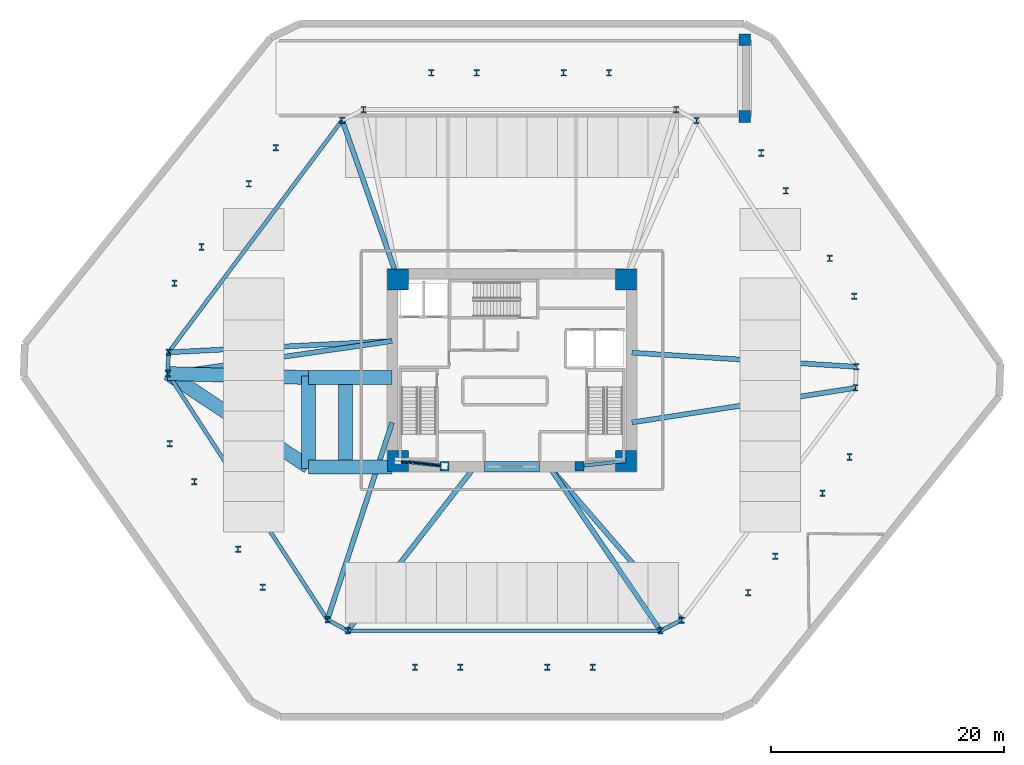
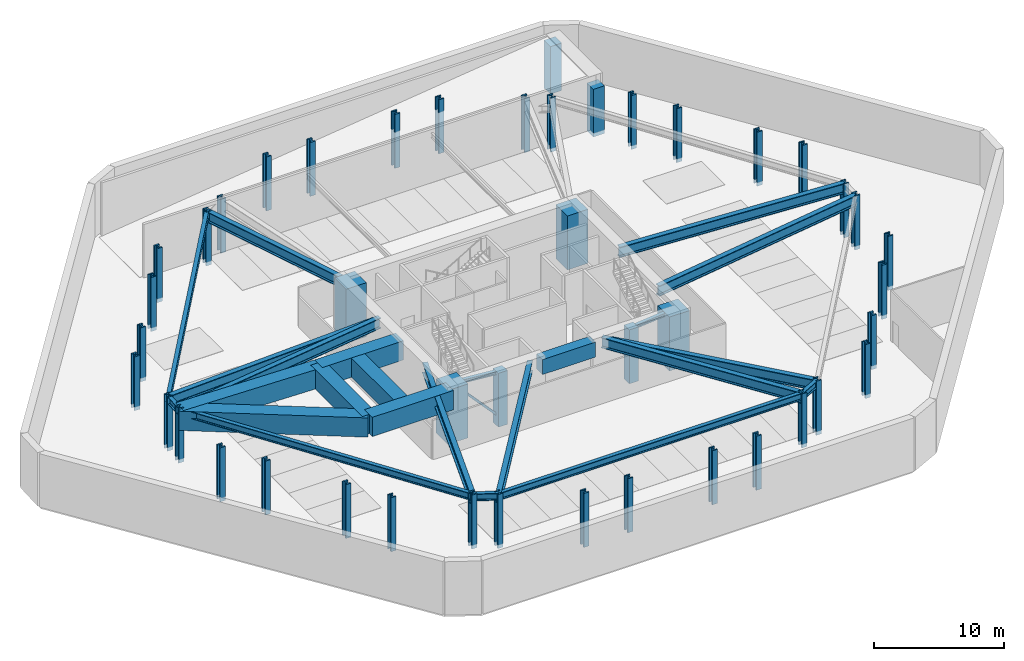
# One storey, part 1 of 8: 44 columns, 24 beams, 1 member.
"""IFC4 building model written with IfcOpenShell, lengths in metres."""

from ifc_helpers import new_model, si_unit, direction, frame, origin, origin_2d, place, context, subcontext, project, spatial, rectangle, hollow_rectangle, i_section, extrude, source, transform, mapped, material, material_profile, profile_set, type_object, type_shapes, element, save


model = new_model("IFC4")

# Units and contexts
model_context = context("Model", 3, precision=1e-05, world=origin(), true_north=direction((0.0, 1.0)))
body_context = subcontext(model_context, "Body", "Model", "MODEL_VIEW")
ifc_project = project(units=[si_unit("LENGTHUNIT", "METRE"), si_unit("AREAUNIT", "SQUARE_METRE"), si_unit("VOLUMEUNIT", "CUBIC_METRE"), si_unit("PLANEANGLEUNIT", "RADIAN"), si_unit("MASSUNIT", "GRAM", prefix="KILO")], contexts=[model_context])

# Site, building, storey
site_placement = place(None, origin())
site = spatial("IfcSite", under=ifc_project, at=site_placement, CompositionType="ELEMENT")
building_placement = place(site_placement, origin())
building = spatial("IfcBuilding", under=site, at=building_placement, Name="Durnholm Broadcast Tower", CompositionType="ELEMENT")
storey_placement = place(building_placement, frame((0.0, 0.0, -5.0)))
storey = spatial("IfcBuildingStorey", under=building, at=storey_placement, Name="B01", CompositionType="ELEMENT", Elevation=-5.0)

# Columns
ifc_material_1 = material(Name="Concrete C70/85", Category="concrete")
ifc_material_profile_1 = material_profile(ifc_material_1, rectangle(XDim=1.0, YDim=1.0, at=origin_2d()), Name="RC1000X1000")
ifc_profile_set_1 = profile_set([ifc_material_profile_1], Name="Concrete C70/85")
column_type_1 = type_object("IfcColumnType", Name="COL-CC-1000", PredefinedType="COLUMN", material=ifc_profile_set_1)
shared_shape_1 = source(origin(), body_context, "Body", "SweptSolid", [
    extrude(rectangle(XDim=1.0, YDim=1.0, at=origin_2d()), origin(), (0.0, 0.0, 1.0), 4.4501953125),
])
type_shapes(column_type_1, [shared_shape_1])
for number, where, z_axis, x_axis, name in (
    (1, (20.0, 21.800048828125, -0.35009765625), (0.0, 0.0, 1.0), (1.0, 0.0, 0.0), "B01 vehicle ramp header support column 1"),
    (2, (20.0, 28.39990234375, -0.35009765625), (0.0, 0.0, 1.0), (1.0, 0.0, 0.0), "B01 vehicle ramp header support column 2"),
):
    element("IfcColumn", number, at=place(storey_placement, frame(where, z_axis=z_axis, x_axis=x_axis)), inside=storey, type_object=column_type_1, Name=name, PredefinedType="COLUMN", context=body_context, shape_type="MappedRepresentation", body=[
        mapped(shared_shape_1, transform((0.0, 0.0, 0.0), x_axis=(1.0, 0.0, 0.0), y_axis=(0.0, 1.0, 0.0), z_axis=(0.0, 0.0, 1.0), scale=1.0)),
    ])
ifc_material_profile_2 = material_profile(ifc_material_1, rectangle(XDim=1.800048828125, YDim=1.800048828125, at=origin_2d()), Name="RC1800X1800")
ifc_profile_set_2 = profile_set([ifc_material_profile_2], Name="Concrete C70/85")
column_type_2 = type_object("IfcColumnType", Name="COL-CC-1800", PredefinedType="COLUMN", material=ifc_profile_set_2)
shared_shape_2 = source(origin(), body_context, "Body", "SweptSolid", [
    extrude(rectangle(XDim=1.800048828125, YDim=1.800048828125, at=origin_2d()), origin(), (0.0, 0.0, 1.0), 5.050048828125),
])
type_shapes(column_type_2, [shared_shape_2])
for number, where, z_axis, x_axis, name in (
    (3, (-9.800048828125, -7.800048828125, -0.35009765625), (0.0, 0.0, 1.0), (1.0, 0.0, 0.0), "B01 core corner column 1"),
    (4, (9.800048828125, -7.800048828125, -0.35009765625), (0.0, 0.0, 1.0), (1.0, 0.0, 0.0), "B01 core corner column 2"),
    (5, (9.800048828125, 7.800048828125, -0.35009765625), (0.0, 0.0, 1.0), (1.0, 0.0, 0.0), "B01 core corner column 3"),
    (6, (-9.800048828125, 7.800048828125, -0.35009765625), (0.0, 0.0, 1.0), (1.0, 0.0, 0.0), "B01 core corner column 4"),
):
    element("IfcColumn", number, at=place(storey_placement, frame(where, z_axis=z_axis, x_axis=x_axis)), inside=storey, type_object=column_type_2, Name=name, PredefinedType="COLUMN", context=body_context, shape_type="MappedRepresentation", body=[
        mapped(shared_shape_2, transform((0.0, 0.0, 0.0), x_axis=(1.0, 0.0, 0.0), y_axis=(0.0, 1.0, 0.0), z_axis=(0.0, 0.0, 1.0), scale=1.0)),
    ])
ifc_material_profile_3 = material_profile(ifc_material_1, rectangle(XDim=0.800048828125, YDim=0.800048828125, at=origin_2d()), Name="RC800X800")
ifc_profile_set_3 = profile_set([ifc_material_profile_3], Name="Concrete C70/85")
column_type_3 = type_object("IfcColumnType", Name="COL-CP-800", PredefinedType="PILASTER", material=ifc_profile_set_3)
shared_shape_3 = source(origin(), body_context, "Body", "SweptSolid", [
    extrude(rectangle(XDim=0.800048828125, YDim=0.800048828125, at=origin_2d()), origin(), (0.0, 0.0, 1.0), 5.050048828125),
])
type_shapes(column_type_3, [shared_shape_3])
for number, where, z_axis, x_axis, name in (
    (7, (-5.800048828125, -8.25, -0.35009765625), (0.0, 0.0, 1.0), (1.0, 0.0, 0.0), "B01 core hall structural pilaster 1"),
    (8, (5.800048828125, -8.25, -0.35009765625), (0.0, 0.0, 1.0), (1.0, 0.0, 0.0), "B01 core hall structural pilaster 2"),
):
    element("IfcColumn", number, at=place(storey_placement, frame(where, z_axis=z_axis, x_axis=x_axis)), inside=storey, type_object=column_type_3, Name=name, PredefinedType="PILASTER", context=body_context, shape_type="MappedRepresentation", body=[
        mapped(shared_shape_3, transform((0.0, 0.0, 0.0), x_axis=(1.0, 0.0, 0.0), y_axis=(0.0, 1.0, 0.0), z_axis=(0.0, 0.0, 1.0), scale=1.0)),
    ])
ifc_material_2 = material(Name="Steel ASTM A913 Grade 65", Category="steel")
ifc_material_profile_4 = material_profile(ifc_material_2, i_section(OverallWidth=0.454345703125, OverallDepth=0.569091796875, WebThickness=0.077880859375, FlangeThickness=0.124755859375, FilletRadius=0.030517578125, at=origin_2d()), Name="W14X730")
ifc_profile_set_4 = profile_set([ifc_material_profile_4], Name="Steel ASTM A913 Grade 65")
column_type_4 = type_object("IfcColumnType", Name="STL-SC-W14X730", PredefinedType="COLUMN", material=ifc_profile_set_4)
shared_shape_4 = source(origin(), body_context, "Body", "SweptSolid", [
    extrude(i_section(OverallWidth=0.454345703125, OverallDepth=0.569091796875, WebThickness=0.077880859375, FlangeThickness=0.124755859375, FilletRadius=0.030517578125, at=origin_2d()), origin(), (0.0, 0.0, 1.0), 5.050048828125),
])
type_shapes(column_type_4, [shared_shape_4])
for number, where, z_axis, x_axis, name in (
    (9, (-15.866455078125, -21.45068359375, -0.35009765625), (0.0, 0.0, 1.0), (1.0, 0.0, 0.0), "B01 perimeter hexagonal tube column 01"),
    (10, (-29.590576171875, -0.28857421875, -0.35009765625), (0.0, 0.0, 1.0), (1.0, 0.0, 0.0), "B01 perimeter hexagonal tube column 02"),
    (11, (-29.529296875, 1.530517578125, -0.35009765625), (0.0, 0.0, 1.0), (1.0, 0.0, 0.0), "B01 perimeter hexagonal tube column 03"),
    (12, (-14.594482421875, 21.487548828125, -0.35009765625), (0.0, 0.0, 1.0), (1.0, 0.0, 0.0), "B01 perimeter hexagonal tube column 04"),
    (13, (-12.77197265625, 22.39990234375, -0.35009765625), (0.0, 0.0, 1.0), (1.0, 0.0, 0.0), "B01 perimeter hexagonal tube column 05"),
    (14, (14.119384765625, 22.39990234375, -0.35009765625), (0.0, 0.0, 1.0), (1.0, 0.0, 0.0), "B01 perimeter hexagonal tube column 06"),
    (15, (15.866455078125, 21.45068359375, -0.35009765625), (0.0, 0.0, 1.0), (1.0, 0.0, 0.0), "B01 perimeter hexagonal tube column 07"),
    (16, (29.590576171875, 0.28857421875, -0.35009765625), (0.0, 0.0, 1.0), (1.0, 0.0, 0.0), "B01 perimeter hexagonal tube column 08"),
    (17, (29.529296875, -1.530517578125, -0.35009765625), (0.0, 0.0, 1.0), (1.0, 0.0, 0.0), "B01 perimeter hexagonal tube column 09"),
    (18, (14.594482421875, -21.487548828125, -0.35009765625), (0.0, 0.0, 1.0), (1.0, 0.0, 0.0), "B01 perimeter hexagonal tube column 10"),
    (19, (12.77197265625, -22.39990234375, -0.35009765625), (0.0, 0.0, 1.0), (1.0, 0.0, 0.0), "B01 perimeter hexagonal tube column 11"),
    (20, (-14.119384765625, -22.39990234375, -0.35009765625), (0.0, 0.0, 1.0), (1.0, 0.0, 0.0), "B01 perimeter hexagonal tube column 12"),
    (21, (-8.3330078125, -25.550048828125, -0.35009765625), (0.0, 0.0, 1.0), (1.0, 0.0, 0.0), "B01 stand-off exoskeleton pilotis column F1.1"),
    (22, (-4.444580078125, -25.550048828125, -0.35009765625), (0.0, 0.0, 1.0), (1.0, 0.0, 0.0), "B01 stand-off exoskeleton pilotis column F1.2"),
    (23, (3.041259765625, -25.550048828125, -0.35009765625), (0.0, 0.0, 1.0), (1.0, 0.0, 0.0), "B01 stand-off exoskeleton pilotis column F1.3"),
    (24, (6.9296875, -25.550048828125, -0.35009765625), (0.0, 0.0, 1.0), (1.0, 0.0, 0.0), "B01 stand-off exoskeleton pilotis column F1.4"),
    (25, (20.2978515625, -19.123779296875, -0.35009765625), (0.0, 0.0, 1.0), (1.0, 0.0, 0.0), "B01 stand-off exoskeleton pilotis column F2.1"),
    (26, (22.62744140625, -16.0107421875, -0.35009765625), (0.0, 0.0, 1.0), (1.0, 0.0, 0.0), "B01 stand-off exoskeleton pilotis column F2.2"),
    (27, (26.6875, -10.585693359375, -0.35009765625), (0.0, 0.0, 1.0), (1.0, 0.0, 0.0), "B01 stand-off exoskeleton pilotis column F2.3"),
    (28, (29.01708984375, -7.472412109375, -0.35009765625), (0.0, 0.0, 1.0), (1.0, 0.0, 0.0), "B01 stand-off exoskeleton pilotis column F2.4"),
    (29, (29.42041015625, 6.340087890625, -0.35009765625), (0.0, 0.0, 1.0), (1.0, 0.0, 0.0), "B01 stand-off exoskeleton pilotis column F3.1"),
    (30, (27.3046875, 9.6025390625, -0.35009765625), (0.0, 0.0, 1.0), (1.0, 0.0, 0.0), "B01 stand-off exoskeleton pilotis column F3.2"),
    (31, (23.541015625, 15.40576171875, -0.35009765625), (0.0, 0.0, 1.0), (1.0, 0.0, 0.0), "B01 stand-off exoskeleton pilotis column F3.3"),
    (32, (21.42529296875, 18.668212890625, -0.35009765625), (0.0, 0.0, 1.0), (1.0, 0.0, 0.0), "B01 stand-off exoskeleton pilotis column F3.4"),
    (33, (8.3330078125, 25.550048828125, -0.35009765625), (0.0, 0.0, 1.0), (1.0, 0.0, 0.0), "B01 stand-off exoskeleton pilotis column F4.1"),
    (34, (4.444580078125, 25.550048828125, -0.35009765625), (0.0, 0.0, 1.0), (1.0, 0.0, 0.0), "B01 stand-off exoskeleton pilotis column F4.2"),
    (35, (-3.041259765625, 25.550048828125, -0.35009765625), (0.0, 0.0, 1.0), (1.0, 0.0, 0.0), "B01 stand-off exoskeleton pilotis column F4.3"),
    (36, (-6.9296875, 25.550048828125, -0.35009765625), (0.0, 0.0, 1.0), (1.0, 0.0, 0.0), "B01 stand-off exoskeleton pilotis column F4.4"),
    (37, (-20.2978515625, 19.123779296875, -0.35009765625), (0.0, 0.0, 1.0), (1.0, 0.0, 0.0), "B01 stand-off exoskeleton pilotis column F5.1"),
    (38, (-22.62744140625, 16.0107421875, -0.35009765625), (0.0, 0.0, 1.0), (1.0, 0.0, 0.0), "B01 stand-off exoskeleton pilotis column F5.2"),
    (39, (-26.6875, 10.585693359375, -0.35009765625), (0.0, 0.0, 1.0), (1.0, 0.0, 0.0), "B01 stand-off exoskeleton pilotis column F5.3"),
    (40, (-29.01708984375, 7.472412109375, -0.35009765625), (0.0, 0.0, 1.0), (1.0, 0.0, 0.0), "B01 stand-off exoskeleton pilotis column F5.4"),
    (41, (-29.42041015625, -6.340087890625, -0.35009765625), (0.0, 0.0, 1.0), (1.0, 0.0, 0.0), "B01 stand-off exoskeleton pilotis column F6.1"),
    (42, (-27.3046875, -9.6025390625, -0.35009765625), (0.0, 0.0, 1.0), (1.0, 0.0, 0.0), "B01 stand-off exoskeleton pilotis column F6.2"),
    (43, (-23.541015625, -15.40576171875, -0.35009765625), (0.0, 0.0, 1.0), (1.0, 0.0, 0.0), "B01 stand-off exoskeleton pilotis column F6.3"),
    (44, (-21.42529296875, -18.668212890625, -0.35009765625), (0.0, 0.0, 1.0), (1.0, 0.0, 0.0), "B01 stand-off exoskeleton pilotis column F6.4"),
):
    element("IfcColumn", number, at=place(storey_placement, frame(where, z_axis=z_axis, x_axis=x_axis)), inside=storey, type_object=column_type_4, Name=name, PredefinedType="COLUMN", context=body_context, shape_type="MappedRepresentation", body=[
        mapped(shared_shape_4, transform((0.0, 0.0, 0.0), x_axis=(1.0, 0.0, 0.0), y_axis=(0.0, 1.0, 0.0), z_axis=(0.0, 0.0, 1.0), scale=1.0)),
    ])

# Beams
ifc_material_profile_5 = material_profile(ifc_material_1, rectangle(XDim=0.89990234375, YDim=1.39990234375, at=origin_2d()), Name="RC900X1400")
ifc_profile_set_5 = profile_set([ifc_material_profile_5], Name="Concrete C70/85")
beam_type_1 = type_object("IfcBeamType", Name="BM-CB-RC1400", PredefinedType="LINTEL", material=ifc_profile_set_5)
shared_shape_5 = source(origin(), body_context, "Body", "SweptSolid", [
    extrude(rectangle(XDim=0.89990234375, YDim=1.39990234375, at=origin_2d()), origin(), (0.0, 0.0, 1.0), 4.7001953125),
])
type_shapes(beam_type_1, [shared_shape_5])
beam_1_placement = place(storey_placement, frame((-2.35009765625, -8.300048828125, 3.9951171875), z_axis=(1.0, 0.0, 0.0), x_axis=(0.0, 1.0, 0.0)))
element("IfcBeam", 45, at=beam_1_placement, inside=storey, type_object=beam_type_1, Name="B01 south core coupling lintel beam CB-S", PredefinedType="LINTEL", context=body_context, shape_type="MappedRepresentation", body=[
    mapped(shared_shape_5, transform((0.0, 0.0, 0.0), x_axis=(1.0, 0.0, 0.0), y_axis=(0.0, 1.0, 0.0), z_axis=(0.0, 0.0, 1.0), scale=1.0)),
])
ifc_material_3 = material(Name="Steel ASTM A992 Grade 50", Category="steel")
ifc_material_profile_6 = material_profile(ifc_material_3, i_section(OverallWidth=0.3330078125, OverallDepth=0.660888671875, WebThickness=0.0244140625, FlangeThickness=0.0439453125, FilletRadius=0.02783203125, at=origin_2d()), Name="W24X229")
ifc_profile_set_6 = profile_set([ifc_material_profile_6], Name="Steel ASTM A992 Grade 50")
beam_type_2 = type_object("IfcBeamType", Name="STL-SP-W24X229", PredefinedType="SPANDREL", material=ifc_profile_set_6)
shared_shape_6 = source(origin(), body_context, "Body", "SweptSolid", [
    extrude(i_section(OverallWidth=0.3330078125, OverallDepth=0.660888671875, WebThickness=0.0244140625, FlangeThickness=0.0439453125, FilletRadius=0.02783203125, at=origin_2d()), origin(), (0.0, 0.0, 1.0), 25.22265625),
])
beam_2_placement = place(storey_placement, frame((-15.866455078125, -21.45068359375, 4.3544921875), z_axis=(-0.544117081794, 0.839009297505, 0.0), x_axis=(-0.839009297505, -0.544117081794, 0.0)))
element("IfcBeam", 46, at=beam_2_placement, inside=storey, type_object=beam_type_2, Name="B01 perimeter spandrel girder 01", PredefinedType="SPANDREL", context=body_context, shape_type="MappedRepresentation", body=[
    mapped(shared_shape_6, transform((0.0, 0.0, 0.0), x_axis=(1.0, 0.0, 0.0), y_axis=(0.0, 1.0, 0.0), z_axis=(0.0, 0.0, 1.0), scale=1.0)),
])
shared_shape_7 = source(origin(), body_context, "Body", "SweptSolid", [
    extrude(i_section(OverallWidth=0.3330078125, OverallDepth=0.660888671875, WebThickness=0.0244140625, FlangeThickness=0.0439453125, FilletRadius=0.02783203125, at=origin_2d()), origin(), (0.0, 0.0, 1.0), 1.820068359375),
])
beam_3_placement = place(storey_placement, frame((-29.590576171875, -0.28857421875, 4.3544921875), z_axis=(0.033667655889, 0.999433083776, 0.0), x_axis=(-0.999433083776, 0.033667655889, 0.0)))
element("IfcBeam", 47, at=beam_3_placement, inside=storey, type_object=beam_type_2, Name="B01 perimeter spandrel girder 02", PredefinedType="SPANDREL", context=body_context, shape_type="MappedRepresentation", body=[
    mapped(shared_shape_7, transform((0.0, 0.0, 0.0), x_axis=(1.0, 0.0, 0.0), y_axis=(0.0, 1.0, 0.0), z_axis=(0.0, 0.0, 1.0), scale=1.0)),
])
shared_shape_8 = source(origin(), body_context, "Body", "SweptSolid", [
    extrude(i_section(OverallWidth=0.3330078125, OverallDepth=0.660888671875, WebThickness=0.0244140625, FlangeThickness=0.0439453125, FilletRadius=0.02783203125, at=origin_2d()), origin(), (0.0, 0.0, 1.0), 24.926513671875),
])
beam_4_placement = place(storey_placement, frame((-29.529296875, 1.530517578125, 4.3544921875), z_axis=(0.599153427318, 0.800634230178, 0.0), x_axis=(-0.800634230178, 0.599153427318, 0.0)))
element("IfcBeam", 48, at=beam_4_placement, inside=storey, type_object=beam_type_2, Name="B01 perimeter spandrel girder 03", PredefinedType="SPANDREL", context=body_context, shape_type="MappedRepresentation", body=[
    mapped(shared_shape_8, transform((0.0, 0.0, 0.0), x_axis=(1.0, 0.0, 0.0), y_axis=(0.0, 1.0, 0.0), z_axis=(0.0, 0.0, 1.0), scale=1.0)),
])
shared_shape_9 = source(origin(), body_context, "Body", "SweptSolid", [
    extrude(i_section(OverallWidth=0.3330078125, OverallDepth=0.660888671875, WebThickness=0.0244140625, FlangeThickness=0.0439453125, FilletRadius=0.02783203125, at=origin_2d()), origin(), (0.0, 0.0, 1.0), 2.0380859375),
])
beam_5_placement = place(storey_placement, frame((14.594482421875, -21.487548828125, 4.3544921875), z_axis=(-0.894211470078, -0.447644777452, 0.0), x_axis=(0.447644777452, -0.894211470078, 0.0)))
element("IfcBeam", 49, at=beam_5_placement, inside=storey, type_object=beam_type_2, Name="B01 perimeter spandrel girder 10", PredefinedType="SPANDREL", context=body_context, shape_type="MappedRepresentation", body=[
    mapped(shared_shape_9, transform((0.0, 0.0, 0.0), x_axis=(1.0, 0.0, 0.0), y_axis=(0.0, 1.0, 0.0), z_axis=(0.0, 0.0, 1.0), scale=1.0)),
])
shared_shape_10 = source(origin(), body_context, "Body", "SweptSolid", [
    extrude(i_section(OverallWidth=0.3330078125, OverallDepth=0.660888671875, WebThickness=0.0244140625, FlangeThickness=0.0439453125, FilletRadius=0.02783203125, at=origin_2d()), origin(), (0.0, 0.0, 1.0), 26.891357421875),
])
beam_6_placement = place(storey_placement, frame((12.77197265625, -22.39990234375, 4.3544921875), z_axis=(-1.0, 0.0, 0.0), x_axis=(0.0, -1.0, 0.0)))
element("IfcBeam", 50, at=beam_6_placement, inside=storey, type_object=beam_type_2, Name="B01 perimeter spandrel girder 11", PredefinedType="SPANDREL", context=body_context, shape_type="MappedRepresentation", body=[
    mapped(shared_shape_10, transform((0.0, 0.0, 0.0), x_axis=(1.0, 0.0, 0.0), y_axis=(0.0, 1.0, 0.0), z_axis=(0.0, 0.0, 1.0), scale=1.0)),
])
shared_shape_11 = source(origin(), body_context, "Body", "SweptSolid", [
    extrude(i_section(OverallWidth=0.3330078125, OverallDepth=0.660888671875, WebThickness=0.0244140625, FlangeThickness=0.0439453125, FilletRadius=0.02783203125, at=origin_2d()), origin(), (0.0, 0.0, 1.0), 1.98828125),
])
type_shapes(beam_type_2, [shared_shape_6, shared_shape_7, shared_shape_8, shared_shape_9, shared_shape_10, shared_shape_11])
beam_7_placement = place(storey_placement, frame((-14.119384765625, -22.39990234375, 4.3544921875), z_axis=(-0.878682739647, 0.477406161508, 0.0), x_axis=(-0.477406161508, -0.878682739647, 0.0)))
element("IfcBeam", 51, at=beam_7_placement, inside=storey, type_object=beam_type_2, Name="B01 perimeter spandrel girder 12", PredefinedType="SPANDREL", context=body_context, shape_type="MappedRepresentation", body=[
    mapped(shared_shape_11, transform((0.0, 0.0, 0.0), x_axis=(1.0, 0.0, 0.0), y_axis=(0.0, 1.0, 0.0), z_axis=(0.0, 0.0, 1.0), scale=1.0)),
])
ifc_material_profile_7 = material_profile(ifc_material_3, i_section(OverallWidth=0.427490234375, OverallDepth=0.9755859375, WebThickness=0.031005859375, FlangeThickness=0.055908203125, FilletRadius=0.0380859375, at=origin_2d()), Name="W36X395")
ifc_profile_set_7 = profile_set([ifc_material_profile_7], Name="Steel ASTM A992 Grade 50")
beam_type_3 = type_object("IfcBeamType", Name="STL-GR-W36X395", PredefinedType="USERDEFINED", material=ifc_profile_set_7)
shared_shape_12 = source(origin(), body_context, "Body", "SweptSolid", [
    extrude(i_section(OverallWidth=0.427490234375, OverallDepth=0.9755859375, WebThickness=0.031005859375, FlangeThickness=0.055908203125, FilletRadius=0.0380859375, at=origin_2d()), origin(), (0.0, 0.0, 1.0), 17.84130859375),
])
beam_8_placement = place(storey_placement, frame((-10.300048828125, -4.5, 4.197265625), z_axis=(-0.311996254667, -0.950083331647, 0.0), x_axis=(0.950083331647, -0.311996254667, 0.0)))
element("IfcBeam", 52, at=beam_8_placement, inside=storey, type_object=beam_type_3, Name="B01 radial primary floor girder 01", ObjectType="GIRDER", PredefinedType="USERDEFINED", context=body_context, shape_type="MappedRepresentation", body=[
    mapped(shared_shape_12, transform((0.0, 0.0, 0.0), x_axis=(1.0, 0.0, 0.0), y_axis=(0.0, 1.0, 0.0), z_axis=(0.0, 0.0, 1.0), scale=1.0)),
])
shared_shape_13 = source(origin(), body_context, "Body", "SweptSolid", [
    extrude(i_section(OverallWidth=0.427490234375, OverallDepth=0.9755859375, WebThickness=0.031005859375, FlangeThickness=0.055908203125, FilletRadius=0.0380859375, at=origin_2d()), origin(), (0.0, 0.0, 1.0), 19.490966796875),
])
beam_9_placement = place(storey_placement, frame((-10.300048828125, 2.5, 4.197265625), z_axis=(-0.989712636446, -0.143069553921, 0.0), x_axis=(0.143069553921, -0.989712636446, 0.0)))
element("IfcBeam", 53, at=beam_9_placement, inside=storey, type_object=beam_type_3, Name="B01 radial primary floor girder 02", ObjectType="GIRDER", PredefinedType="USERDEFINED", context=body_context, shape_type="MappedRepresentation", body=[
    mapped(shared_shape_13, transform((0.0, 0.0, 0.0), x_axis=(1.0, 0.0, 0.0), y_axis=(0.0, 1.0, 0.0), z_axis=(0.0, 0.0, 1.0), scale=1.0)),
])
shared_shape_14 = source(origin(), body_context, "Body", "SweptSolid", [
    extrude(i_section(OverallWidth=0.427490234375, OverallDepth=0.9755859375, WebThickness=0.031005859375, FlangeThickness=0.055908203125, FilletRadius=0.0380859375, at=origin_2d()), origin(), (0.0, 0.0, 1.0), 19.253662109375),
])
beam_10_placement = place(storey_placement, frame((-10.300048828125, 2.5, 4.197265625), z_axis=(-0.998731477139, -0.050353118796, 0.0), x_axis=(0.050353118796, -0.998731477139, 0.0)))
element("IfcBeam", 54, at=beam_10_placement, inside=storey, type_object=beam_type_3, Name="B01 radial primary floor girder 03", ObjectType="GIRDER", PredefinedType="USERDEFINED", context=body_context, shape_type="MappedRepresentation", body=[
    mapped(shared_shape_14, transform((0.0, 0.0, 0.0), x_axis=(1.0, 0.0, 0.0), y_axis=(0.0, 1.0, 0.0), z_axis=(0.0, 0.0, 1.0), scale=1.0)),
])
shared_shape_15 = source(origin(), body_context, "Body", "SweptSolid", [
    extrude(i_section(OverallWidth=0.427490234375, OverallDepth=0.9755859375, WebThickness=0.031005859375, FlangeThickness=0.055908203125, FilletRadius=0.0380859375, at=origin_2d()), origin(), (0.0, 0.0, 1.0), 14.5029296875),
])
beam_11_placement = place(storey_placement, frame((-9.800048828125, 7.800048828125, 4.197265625), z_axis=(-0.330584364716, 0.943776444824, 0.0), x_axis=(-0.943776444824, -0.330584364716, 0.0)))
element("IfcBeam", 55, at=beam_11_placement, inside=storey, type_object=beam_type_3, Name="B01 radial primary floor girder 04", ObjectType="GIRDER", PredefinedType="USERDEFINED", context=body_context, shape_type="MappedRepresentation", body=[
    mapped(shared_shape_15, transform((0.0, 0.0, 0.0), x_axis=(1.0, 0.0, 0.0), y_axis=(0.0, 1.0, 0.0), z_axis=(0.0, 0.0, 1.0), scale=1.0)),
])
shared_shape_16 = source(origin(), body_context, "Body", "SweptSolid", [
    extrude(i_section(OverallWidth=0.427490234375, OverallDepth=0.9755859375, WebThickness=0.031005859375, FlangeThickness=0.055908203125, FilletRadius=0.0380859375, at=origin_2d()), origin(), (0.0, 0.0, 1.0), 19.32861328125),
])
beam_12_placement = place(storey_placement, frame((10.300048828125, 1.5, 4.197265625), z_axis=(0.998033956176, -0.062675532065, 0.0), x_axis=(0.062675532065, 0.998033956176, 0.0)))
element("IfcBeam", 56, at=beam_12_placement, inside=storey, type_object=beam_type_3, Name="B01 radial primary floor girder 08", ObjectType="GIRDER", PredefinedType="USERDEFINED", context=body_context, shape_type="MappedRepresentation", body=[
    mapped(shared_shape_16, transform((0.0, 0.0, 0.0), x_axis=(1.0, 0.0, 0.0), y_axis=(0.0, 1.0, 0.0), z_axis=(0.0, 0.0, 1.0), scale=1.0)),
])
shared_shape_17 = source(origin(), body_context, "Body", "SweptSolid", [
    extrude(i_section(OverallWidth=0.427490234375, OverallDepth=0.9755859375, WebThickness=0.031005859375, FlangeThickness=0.055908203125, FilletRadius=0.0380859375, at=origin_2d()), origin(), (0.0, 0.0, 1.0), 19.457275390625),
])
beam_13_placement = place(storey_placement, frame((10.300048828125, -4.5, 4.197265625), z_axis=(0.988285519632, 0.152616289061, 0.0), x_axis=(-0.152616289061, 0.988285519632, 0.0)))
element("IfcBeam", 57, at=beam_13_placement, inside=storey, type_object=beam_type_3, Name="B01 radial primary floor girder 09", ObjectType="GIRDER", PredefinedType="USERDEFINED", context=body_context, shape_type="MappedRepresentation", body=[
    mapped(shared_shape_17, transform((0.0, 0.0, 0.0), x_axis=(1.0, 0.0, 0.0), y_axis=(0.0, 1.0, 0.0), z_axis=(0.0, 0.0, 1.0), scale=1.0)),
])
shared_shape_18 = source(origin(), body_context, "Body", "SweptSolid", [
    extrude(i_section(OverallWidth=0.427490234375, OverallDepth=0.9755859375, WebThickness=0.031005859375, FlangeThickness=0.055908203125, FilletRadius=0.0380859375, at=origin_2d()), origin(), (0.0, 0.0, 1.0), 17.42822265625),
])
beam_14_placement = place(storey_placement, frame((3.199951171875, -8.300048828125, 4.197265625), z_axis=(0.653794915042, -0.756671797456, 0.0), x_axis=(0.756671797456, 0.653794915042, 0.0)))
element("IfcBeam", 58, at=beam_14_placement, inside=storey, type_object=beam_type_3, Name="B01 radial primary floor girder 10", ObjectType="GIRDER", PredefinedType="USERDEFINED", context=body_context, shape_type="MappedRepresentation", body=[
    mapped(shared_shape_18, transform((0.0, 0.0, 0.0), x_axis=(1.0, 0.0, 0.0), y_axis=(0.0, 1.0, 0.0), z_axis=(0.0, 0.0, 1.0), scale=1.0)),
])
shared_shape_19 = source(origin(), body_context, "Body", "SweptSolid", [
    extrude(i_section(OverallWidth=0.427490234375, OverallDepth=0.9755859375, WebThickness=0.031005859375, FlangeThickness=0.055908203125, FilletRadius=0.0380859375, at=origin_2d()), origin(), (0.0, 0.0, 1.0), 17.0419921875),
])
beam_15_placement = place(storey_placement, frame((3.199951171875, -8.300048828125, 4.197265625), z_axis=(0.561672715675, -0.827359511015, 0.0), x_axis=(0.827359511015, 0.561672715675, 0.0)))
element("IfcBeam", 59, at=beam_15_placement, inside=storey, type_object=beam_type_3, Name="B01 radial primary floor girder 11", ObjectType="GIRDER", PredefinedType="USERDEFINED", context=body_context, shape_type="MappedRepresentation", body=[
    mapped(shared_shape_19, transform((0.0, 0.0, 0.0), x_axis=(1.0, 0.0, 0.0), y_axis=(0.0, 1.0, 0.0), z_axis=(0.0, 0.0, 1.0), scale=1.0)),
])
shared_shape_20 = source(origin(), body_context, "Body", "SweptSolid", [
    extrude(i_section(OverallWidth=0.427490234375, OverallDepth=0.9755859375, WebThickness=0.031005859375, FlangeThickness=0.055908203125, FilletRadius=0.0380859375, at=origin_2d()), origin(), (0.0, 0.0, 1.0), 17.833740234375),
])
type_shapes(beam_type_3, [shared_shape_12, shared_shape_13, shared_shape_14, shared_shape_15, shared_shape_16, shared_shape_17, shared_shape_18, shared_shape_19, shared_shape_20])
beam_16_placement = place(storey_placement, frame((-3.199951171875, -8.300048828125, 4.197265625), z_axis=(-0.612293019064, -0.790630924519, 0.0), x_axis=(0.790630924519, -0.612293019064, 0.0)))
element("IfcBeam", 60, at=beam_16_placement, inside=storey, type_object=beam_type_3, Name="B01 radial primary floor girder 12", ObjectType="GIRDER", PredefinedType="USERDEFINED", context=body_context, shape_type="MappedRepresentation", body=[
    mapped(shared_shape_20, transform((0.0, 0.0, 0.0), x_axis=(1.0, 0.0, 0.0), y_axis=(0.0, 1.0, 0.0), z_axis=(0.0, 0.0, 1.0), scale=1.0)),
])
ifc_material_profile_8 = material_profile(ifc_material_3, i_section(OverallWidth=0.3046875, OverallDepth=0.307861328125, WebThickness=0.010009765625, FlangeThickness=0.015380859375, FilletRadius=0.019287109375, at=origin_2d()), Name="W12X65")
ifc_profile_set_8 = profile_set([ifc_material_profile_8], Name="Steel ASTM A992 Grade 50")
beam_type_4 = type_object("IfcBeamType", Name="STL-BL-W12X65", PredefinedType="LINTEL", material=ifc_profile_set_8)
shared_shape_21 = source(origin(), body_context, "Body", "SweptSolid", [
    extrude(i_section(OverallWidth=0.3046875, OverallDepth=0.307861328125, WebThickness=0.010009765625, FlangeThickness=0.015380859375, FilletRadius=0.019287109375, at=origin_2d()), origin(), (0.0, 0.0, 1.0), 4.025146484375),
])
type_shapes(beam_type_4, [shared_shape_21])
for number, where, z_axis, x_axis, name in (
    (61, (-5.800048828125, -8.25, 4.531005859375), (-0.993732663715, 0.111782794142, 0.0), (-0.111782794142, -0.993732663715, 0.0), "B01 west pilaster tie lintel"),
    (62, (9.800048828125, -7.800048828125, 4.531005859375), (-0.993732663715, -0.111782794142, 0.0), (0.111782794142, -0.993732663715, 0.0), "B01 east pilaster tie lintel"),
):
    element("IfcBeam", number, at=place(storey_placement, frame(where, z_axis=z_axis, x_axis=x_axis)), inside=storey, type_object=beam_type_4, Name=name, PredefinedType="LINTEL", context=body_context, shape_type="MappedRepresentation", body=[
        mapped(shared_shape_21, transform((0.0, 0.0, 0.0), x_axis=(1.0, 0.0, 0.0), y_axis=(0.0, 1.0, 0.0), z_axis=(0.0, 0.0, 1.0), scale=1.0)),
    ])
ifc_material_profile_9 = material_profile(ifc_material_1, rectangle(XDim=1.199951171875, YDim=1.800048828125, at=origin_2d()), Name="RC1200X1800")
ifc_profile_set_9 = profile_set([ifc_material_profile_9], Name="Concrete C70/85")
beam_type_5 = type_object("IfcBeamType", Name="BM-TG-RC1800", PredefinedType="USERDEFINED", material=ifc_profile_set_9)
shared_shape_22 = source(origin(), body_context, "Body", "SweptSolid", [
    extrude(rectangle(XDim=1.199951171875, YDim=1.800048828125, at=origin_2d()), origin(), (0.0, 0.0, 1.0), 7.2099609375),
])
for number, where, z_axis, x_axis, name in (
    (63, (-10.300048828125, -0.639892578125, 3.800048828125), (-1.0, 0.0, 0.0), (0.0, -1.0, 0.0), "B01 podium stair ST-4 transfer girder 1"),
    (64, (-10.300048828125, -8.31005859375, 3.800048828125), (-1.0, 0.0, 0.0), (0.0, -1.0, 0.0), "B01 podium stair ST-4 transfer girder 2"),
):
    element("IfcBeam", number, at=place(storey_placement, frame(where, z_axis=z_axis, x_axis=x_axis)), inside=storey, type_object=beam_type_5, Name=name, ObjectType="GIRDER", PredefinedType="USERDEFINED", context=body_context, shape_type="MappedRepresentation", body=[
        mapped(shared_shape_22, transform((0.0, 0.0, 0.0), x_axis=(1.0, 0.0, 0.0), y_axis=(0.0, 1.0, 0.0), z_axis=(0.0, 0.0, 1.0), scale=1.0)),
    ])
shared_shape_23 = source(origin(), body_context, "Body", "SweptSolid", [
    extrude(rectangle(XDim=1.199951171875, YDim=1.800048828125, at=origin_2d()), origin(), (0.0, 0.0, 1.0), 12.085693359375),
])
beam_17_placement = place(storey_placement, frame((-17.510009765625, -0.639892578125, 3.800048828125), z_axis=(-0.999577407544, 0.029068992552, 0.0), x_axis=(-0.029068992552, -0.999577407544, 0.0)))
element("IfcBeam", 65, at=beam_17_placement, inside=storey, type_object=beam_type_5, Name="B01 podium stair ST-4 outer tie girder 1", ObjectType="GIRDER", PredefinedType="USERDEFINED", context=body_context, shape_type="MappedRepresentation", body=[
    mapped(shared_shape_23, transform((0.0, 0.0, 0.0), x_axis=(1.0, 0.0, 0.0), y_axis=(0.0, 1.0, 0.0), z_axis=(0.0, 0.0, 1.0), scale=1.0)),
])
shared_shape_24 = source(origin(), body_context, "Body", "SweptSolid", [
    extrude(rectangle(XDim=1.199951171875, YDim=1.800048828125, at=origin_2d()), origin(), (0.0, 0.0, 1.0), 14.501220703125),
])
beam_18_placement = place(storey_placement, frame((-17.510009765625, -8.31005859375, 3.800048828125), z_axis=(-0.833074567402, 0.553160704631, 0.0), x_axis=(-0.553160704631, -0.833074567402, 0.0)))
element("IfcBeam", 66, at=beam_18_placement, inside=storey, type_object=beam_type_5, Name="B01 podium stair ST-4 outer tie girder 2", ObjectType="GIRDER", PredefinedType="USERDEFINED", context=body_context, shape_type="MappedRepresentation", body=[
    mapped(shared_shape_24, transform((0.0, 0.0, 0.0), x_axis=(1.0, 0.0, 0.0), y_axis=(0.0, 1.0, 0.0), z_axis=(0.0, 0.0, 1.0), scale=1.0)),
])
shared_shape_25 = source(origin(), body_context, "Body", "SweptSolid", [
    extrude(rectangle(XDim=1.199951171875, YDim=1.800048828125, at=origin_2d()), origin(), (0.0, 0.0, 1.0), 7.949951171875),
])
type_shapes(beam_type_5, [shared_shape_22, shared_shape_23, shared_shape_24, shared_shape_25])
for number, where, z_axis, x_axis, name in (
    (67, (-17.510009765625, -8.449951171875, 3.800048828125), (0.0, 1.0, 0.0), (-1.0, 0.0, 0.0), "B01 podium stair ST-4 west cross transfer girder"),
    (68, (-14.330078125, -8.449951171875, 3.800048828125), (0.0, 1.0, 0.0), (-1.0, 0.0, 0.0), "B01 podium stair ST-4 east cross transfer girder"),
):
    element("IfcBeam", number, at=place(storey_placement, frame(where, z_axis=z_axis, x_axis=x_axis)), inside=storey, type_object=beam_type_5, Name=name, ObjectType="GIRDER", PredefinedType="USERDEFINED", context=body_context, shape_type="MappedRepresentation", body=[
        mapped(shared_shape_25, transform((0.0, 0.0, 0.0), x_axis=(1.0, 0.0, 0.0), y_axis=(0.0, 1.0, 0.0), z_axis=(0.0, 0.0, 1.0), scale=1.0)),
    ])

# Member
ifc_material_4 = material(Name="Steel ASTM A500 Grade C", Category="steel")
ifc_material_profile_10 = material_profile(ifc_material_4, hollow_rectangle(XDim=0.1015625, YDim=0.203125, WallThickness=0.00732421875, InnerFilletRadius=0.010986328125, OuterFilletRadius=0.0185546875, at=origin_2d()), Name="HSS8X4X5/16")
ifc_profile_set_10 = profile_set([ifc_material_profile_10], Name="Steel ASTM A500 Grade C")
member_type = type_object("IfcMemberType", Name="STL-STG-HSS8X4", PredefinedType="STRINGER", material=ifc_profile_set_10)
shared_shape_26 = source(origin(), body_context, "Body", "SweptSolid", [
    extrude(hollow_rectangle(XDim=0.1015625, YDim=0.203125, WallThickness=0.00732421875, InnerFilletRadius=0.010986328125, OuterFilletRadius=0.0185546875, at=origin_2d()), origin(), (0.0, 0.0, 1.0), 5.876220703125),
])
type_shapes(member_type, [shared_shape_26])
member_placement = place(storey_placement, frame((-5.800048828125, -8.25, 0.25), z_axis=(-0.680714579848, 0.076572080729, 0.728535776222), x_axis=(-0.111782794142, -0.993732663715, 0.0)))
element("IfcMember", 69, at=member_placement, inside=storey, type_object=member_type, Name="B01 core gallery steel stringer brace", PredefinedType="STRINGER", context=body_context, shape_type="MappedRepresentation", body=[
    mapped(shared_shape_26, transform((0.0, 0.0, 0.0), x_axis=(1.0, 0.0, 0.0), y_axis=(0.0, 1.0, 0.0), z_axis=(0.0, 0.0, 1.0), scale=1.0)),
])

save(model, "model.ifc")
